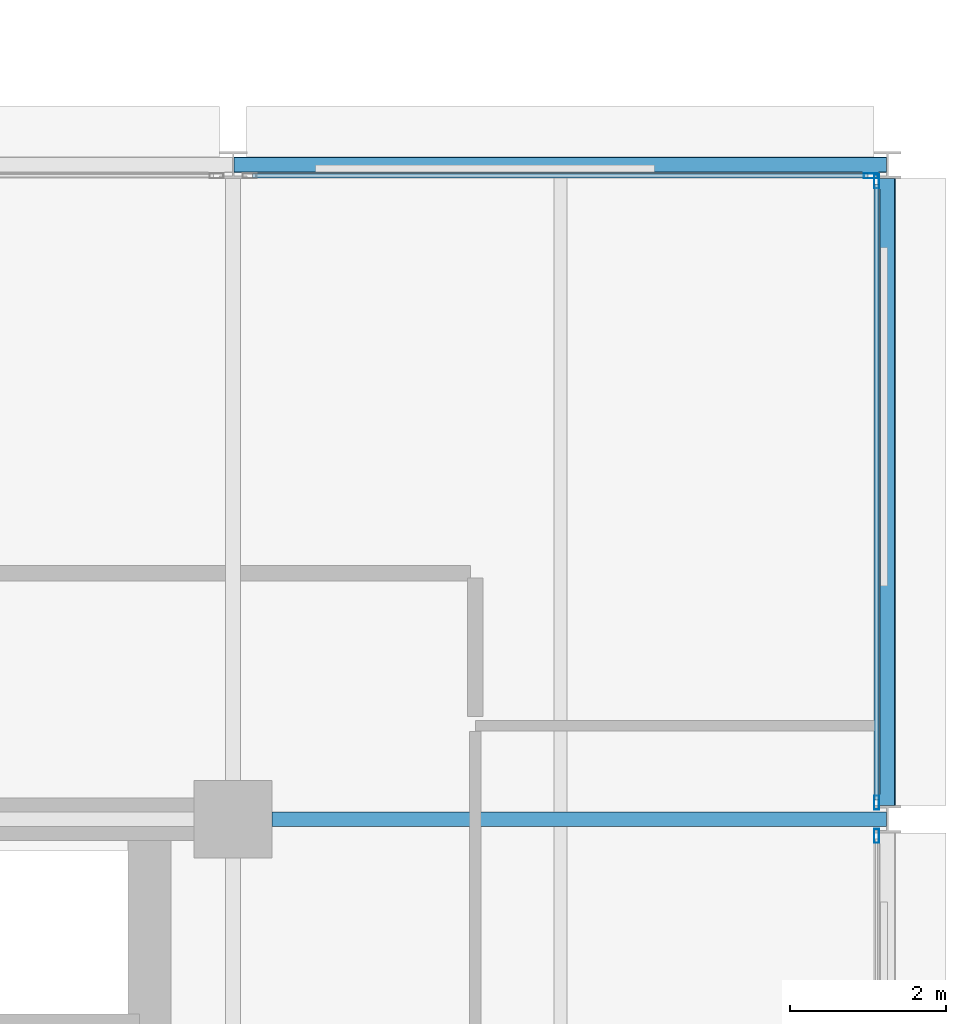
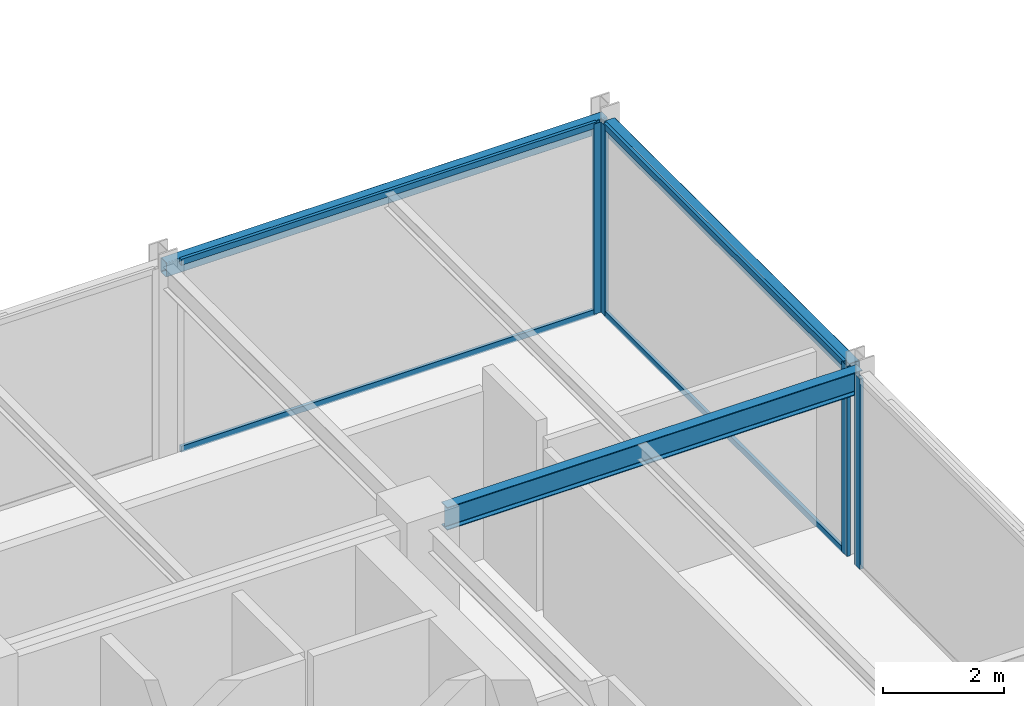
# One storey, part 16 of 29: 8 members, 3 beams, 3 elements without a shape of their own.
"""IFC4 building model written with IfcOpenShell, lengths in metres."""

from ifc_helpers import new_model, si_unit, direction, frame, origin, origin_2d, place, context, subcontext, project, spatial, hollow_rectangle, i_section, extrude, material, layer, layer_set, material_profile, profile_set, type_object, element, aggregate, save


model = new_model("IFC4")

# Units and contexts
model_context = context("Model", 3, precision=1e-05, world=origin(), true_north=direction((0.0, 1.0)))
body_context = subcontext(model_context, "Body", "Model", "MODEL_VIEW")
ifc_project = project(units=[si_unit("LENGTHUNIT", "METRE"), si_unit("AREAUNIT", "SQUARE_METRE"), si_unit("VOLUMEUNIT", "CUBIC_METRE"), si_unit("PLANEANGLEUNIT", "RADIAN"), si_unit("MASSUNIT", "GRAM", prefix="KILO")], contexts=[model_context])

# Site, building, storey
site_placement = place(None, origin())
site = spatial("IfcSite", under=ifc_project, at=site_placement, CompositionType="ELEMENT")
building_placement = place(site_placement, origin())
building = spatial("IfcBuilding", under=site, at=building_placement, Name="Nerrivon Quay Data Exchange", CompositionType="ELEMENT")
storey_placement = place(building_placement, frame((0.0, 0.0, 179.60009765625)))
storey = spatial("IfcBuildingStorey", under=building, at=storey_placement, Name="L42", CompositionType="ELEMENT", Elevation=179.60009765625)

# Beams
ifc_material_1 = material(Name="Steel Grade 350", Category="steel")
ifc_material_profile_1 = material_profile(ifc_material_1, i_section(OverallWidth=0.19091796875, OverallDepth=0.4599609375, WebThickness=0.010009765625, FlangeThickness=0.01611328125, FilletRadius=0.011474609375, at=origin_2d()), Name="460UB82.1")
ifc_profile_set_1 = profile_set([ifc_material_profile_1], Name="Steel Grade 350")
beam_type_1 = type_object("IfcBeamType", Name="BM-G5-460UB82", PredefinedType="BEAM", material=ifc_profile_set_1)
beam_1_placement = place(storey_placement, frame((34.10009765625, 16.800048828125, 3.594970703125), z_axis=(1.0, 0.0, 0.0), x_axis=(0.0, 1.0, 0.0)))
element("IfcBeam", 1, at=beam_1_placement, inside=storey, type_object=beam_type_1, Name="L42 EW Girder Y=16.8 (33.6..42.0)", PredefinedType="BEAM", context=body_context, shape_type="SweptSolid", body=[
    extrude(i_section(OverallWidth=0.19091796875, OverallDepth=0.4599609375, WebThickness=0.010009765625, FlangeThickness=0.01611328125, FilletRadius=0.011474609375, at=origin_2d()), origin(), (0.0, 0.0, 1.0), 7.889892578125),
])
ifc_material_2 = material(Name="Steel Grade C350L0 (350 MPa)", Category="steel")
ifc_material_profile_2 = material_profile(ifc_material_2, hollow_rectangle(XDim=0.199951171875, YDim=0.300048828125, WallThickness=0.012451171875, InnerFilletRadius=0.018798828125, OuterFilletRadius=0.03125, at=origin_2d()), Name="300x200x12.5RHS")
ifc_profile_set_2 = profile_set([ifc_material_profile_2], Name="Steel Grade C350L0 (350 MPa)")
beam_type_2 = type_object("IfcBeamType", Name="BM-SP3-300x200RHS", PredefinedType="SPANDREL", material=ifc_profile_set_2)
beam_2_placement = place(storey_placement, frame((33.610107421875, 25.199951171875, 3.6748046875), z_axis=(1.0, 0.0, 0.0), x_axis=(0.0, 1.0, 0.0)))
element("IfcBeam", 2, at=beam_2_placement, inside=storey, type_object=beam_type_2, Name="L42 EW Girder Y=25.2 (33.6..42.0)", PredefinedType="SPANDREL", context=body_context, shape_type="SweptSolid", body=[
    extrude(hollow_rectangle(XDim=0.199951171875, YDim=0.300048828125, WallThickness=0.012451171875, InnerFilletRadius=0.018798828125, OuterFilletRadius=0.03125, at=origin_2d()), origin(), (0.0, 0.0, 1.0), 8.3798828125),
])
beam_3_placement = place(storey_placement, frame((42.0, 16.97509765625, 3.6748046875), z_axis=(0.0, 1.0, 0.0), x_axis=(-1.0, 0.0, 0.0)))
element("IfcBeam", 3, at=beam_3_placement, inside=storey, type_object=beam_type_2, Name="L42 NS Girder X=42.0 (16.8..25.2)", PredefinedType="SPANDREL", context=body_context, shape_type="SweptSolid", body=[
    extrude(hollow_rectangle(XDim=0.199951171875, YDim=0.300048828125, WallThickness=0.012451171875, InnerFilletRadius=0.018798828125, OuterFilletRadius=0.03125, at=origin_2d()), origin(), (0.0, 0.0, 1.0), 8.0498046875),
])

# Curtain wall, member
ifc_material_3 = material(Name="Anodised aluminium 6063-T6", Category="aluminium")
ifc_layer = layer(ifc_material_3, 0.195068359375)
ifc_layer_set = layer_set([ifc_layer], Name="Anodised aluminium 6063-T6")
curtain_wall_type = type_object("IfcCurtainWallType", Name="CW-SYS-06", PredefinedType="NOTDEFINED", material=ifc_layer_set)
curtain_wall_1_placement = place(storey_placement, origin())
curtain_wall_1 = element("IfcCurtainWall", 4, at=curtain_wall_1_placement, inside=storey, type_object=curtain_wall_type, Name="L42 Unitised Curtain Wall 17", PredefinedType="NOTDEFINED")
ifc_material_profile_3 = material_profile(ifc_material_3, hollow_rectangle(XDim=0.06494140625, YDim=0.179931640625, WallThickness=0.00341796875, at=origin_2d()), Name="ALU-MULL-180x65")
ifc_profile_set_3 = profile_set([ifc_material_profile_3], Name="Anodised aluminium 6063-T6")
member_type_1 = type_object("IfcMemberType", Name="CWM-180x65", PredefinedType="MULLION", material=ifc_profile_set_3)
member_1_placement = place(storey_placement, frame((41.78759765625, 25.06005859375, 0.0), z_axis=(0.0, 0.0, 1.0), x_axis=(0.0, 1.0, 0.0)))
member_1 = element("IfcMember", 5, at=member_1_placement, type_object=member_type_1, Name="CW06 mullion 2", PredefinedType="MULLION", context=body_context, shape_type="SweptSolid", body=[
    extrude(hollow_rectangle(XDim=0.06494140625, YDim=0.179931640625, WallThickness=0.00341796875, at=origin_2d()), origin(), (0.0, 0.0, 1.0), 3.824951171875),
])

# Curtain wall, members
curtain_wall_2_placement = place(storey_placement, origin())
curtain_wall_2 = element("IfcCurtainWall", 6, at=curtain_wall_2_placement, inside=storey, type_object=curtain_wall_type, Name="L42 Unitised Curtain Wall 18", PredefinedType="NOTDEFINED")
member_2_placement = place(storey_placement, frame((41.860107421875, 24.987548828125, 0.0), z_axis=(0.0, 0.0, 1.0), x_axis=(1.0, 0.0, 0.0)))
member_2 = element("IfcMember", 7, at=member_2_placement, type_object=member_type_1, Name="CW06 mullion 1", PredefinedType="MULLION", context=body_context, shape_type="SweptSolid", body=[
    extrude(hollow_rectangle(XDim=0.06494140625, YDim=0.179931640625, WallThickness=0.00341796875, at=origin_2d()), origin(), (0.0, 0.0, 1.0), 3.824951171875),
])
member_3_placement = place(storey_placement, frame((41.860107421875, 17.012451171875, 0.0), z_axis=(0.0, 0.0, 1.0), x_axis=(1.0, 0.0, 0.0)))
member_3 = element("IfcMember", 8, at=member_3_placement, type_object=member_type_1, Name="CW06 mullion 2", PredefinedType="MULLION", context=body_context, shape_type="SweptSolid", body=[
    extrude(hollow_rectangle(XDim=0.06494140625, YDim=0.179931640625, WallThickness=0.00341796875, at=origin_2d()), origin(), (0.0, 0.0, 1.0), 3.824951171875),
])

# Curtain wall, member
curtain_wall_3_placement = place(storey_placement, origin())
curtain_wall_3 = element("IfcCurtainWall", 9, at=curtain_wall_3_placement, inside=storey, type_object=curtain_wall_type, Name="L42 Unitised Curtain Wall 19", PredefinedType="NOTDEFINED")
member_4_placement = place(storey_placement, frame((41.860107421875, 16.58740234375, 0.0), z_axis=(0.0, 0.0, 1.0), x_axis=(1.0, 0.0, 0.0)))
member_4 = element("IfcMember", 10, at=member_4_placement, type_object=member_type_1, Name="CW06 mullion 1", PredefinedType="MULLION", context=body_context, shape_type="SweptSolid", body=[
    extrude(hollow_rectangle(XDim=0.06494140625, YDim=0.179931640625, WallThickness=0.00341796875, at=origin_2d()), origin(), (0.0, 0.0, 1.0), 3.824951171875),
])
aggregate(curtain_wall_3, [member_4])

# Member
ifc_material_profile_4 = material_profile(ifc_material_3, hollow_rectangle(XDim=0.06005859375, YDim=0.1201171875, WallThickness=0.003173828125, at=origin_2d()), Name="ALU-TRAN-120x60")
ifc_profile_set_4 = profile_set([ifc_material_profile_4], Name="Anodised aluminium 6063-T6")
member_type_2 = type_object("IfcMemberType", Name="CWT-120x60", PredefinedType="USERDEFINED", material=ifc_profile_set_4)
member_5_placement = place(storey_placement, frame((33.85009765625, 25.06005859375, 0.032470703125), z_axis=(1.0, 0.0, 0.0), x_axis=(0.0, 1.0, 0.0)))
member_5 = element("IfcMember", 11, at=member_5_placement, type_object=member_type_2, Name="CW06 transom 1.1", ObjectType="TRANSOM", PredefinedType="USERDEFINED", context=body_context, shape_type="SweptSolid", body=[
    extrude(hollow_rectangle(XDim=0.06005859375, YDim=0.1201171875, WallThickness=0.003173828125, at=origin_2d()), origin(), (0.0, 0.0, 1.0), 7.89990234375),
])

member_6_placement = place(storey_placement, frame((33.85009765625, 25.06005859375, 3.79248046875), z_axis=(1.0, 0.0, 0.0), x_axis=(0.0, 1.0, 0.0)))
member_6 = element("IfcMember", 12, at=member_6_placement, type_object=member_type_2, Name="CW06 transom 1.2", ObjectType="TRANSOM", PredefinedType="USERDEFINED", context=body_context, shape_type="SweptSolid", body=[
    extrude(hollow_rectangle(XDim=0.06005859375, YDim=0.1201171875, WallThickness=0.003173828125, at=origin_2d()), origin(), (0.0, 0.0, 1.0), 7.89990234375),
])

aggregate(curtain_wall_1, [member_1, member_5, member_6])

member_7_placement = place(storey_placement, frame((41.860107421875, 24.949951171875, 0.032470703125), z_axis=(0.0, -1.0, 0.0), x_axis=(1.0, 0.0, 0.0)))
member_7 = element("IfcMember", 13, at=member_7_placement, type_object=member_type_2, Name="CW06 transom 1.1", ObjectType="TRANSOM", PredefinedType="USERDEFINED", context=body_context, shape_type="SweptSolid", body=[
    extrude(hollow_rectangle(XDim=0.06005859375, YDim=0.1201171875, WallThickness=0.003173828125, at=origin_2d()), origin(), (0.0, 0.0, 1.0), 7.89990234375),
])

member_8_placement = place(storey_placement, frame((41.860107421875, 24.949951171875, 3.79248046875), z_axis=(0.0, -1.0, 0.0), x_axis=(1.0, 0.0, 0.0)))
member_8 = element("IfcMember", 14, at=member_8_placement, type_object=member_type_2, Name="CW06 transom 1.2", ObjectType="TRANSOM", PredefinedType="USERDEFINED", context=body_context, shape_type="SweptSolid", body=[
    extrude(hollow_rectangle(XDim=0.06005859375, YDim=0.1201171875, WallThickness=0.003173828125, at=origin_2d()), origin(), (0.0, 0.0, 1.0), 7.89990234375),
])

aggregate(curtain_wall_2, [member_2, member_3, member_7, member_8])

save(model, "model.ifc")
